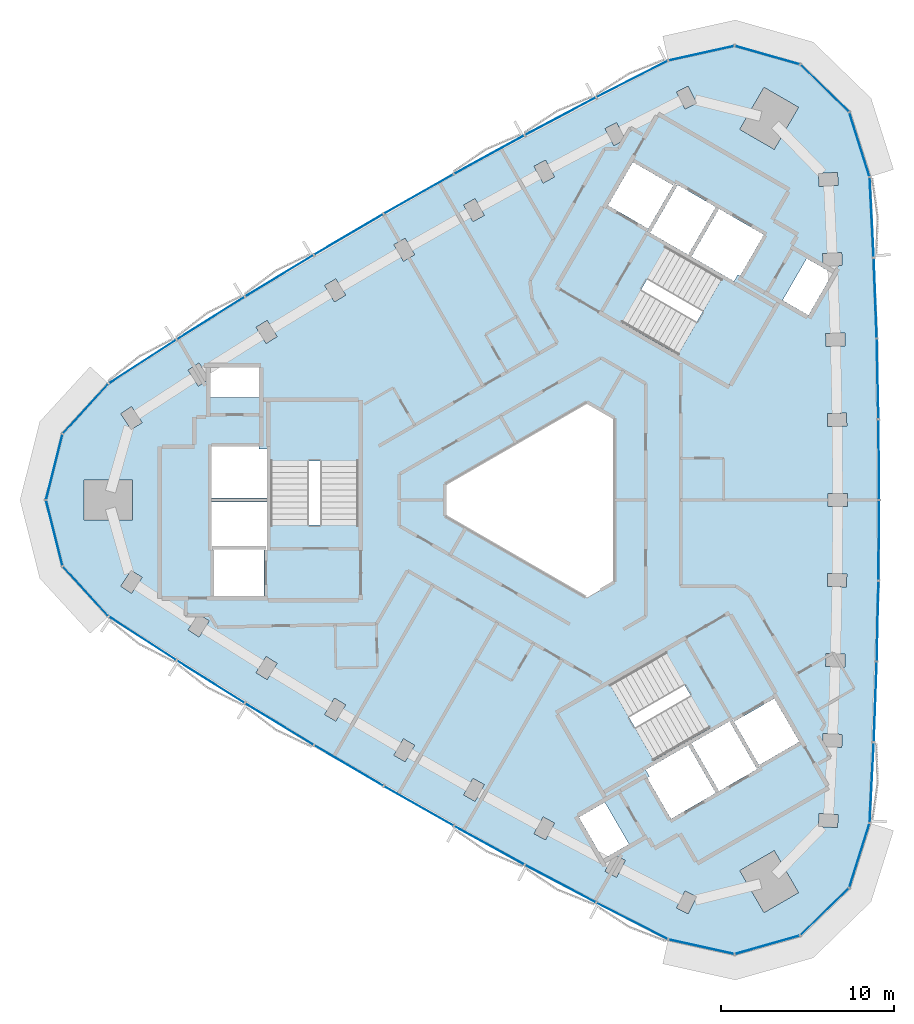
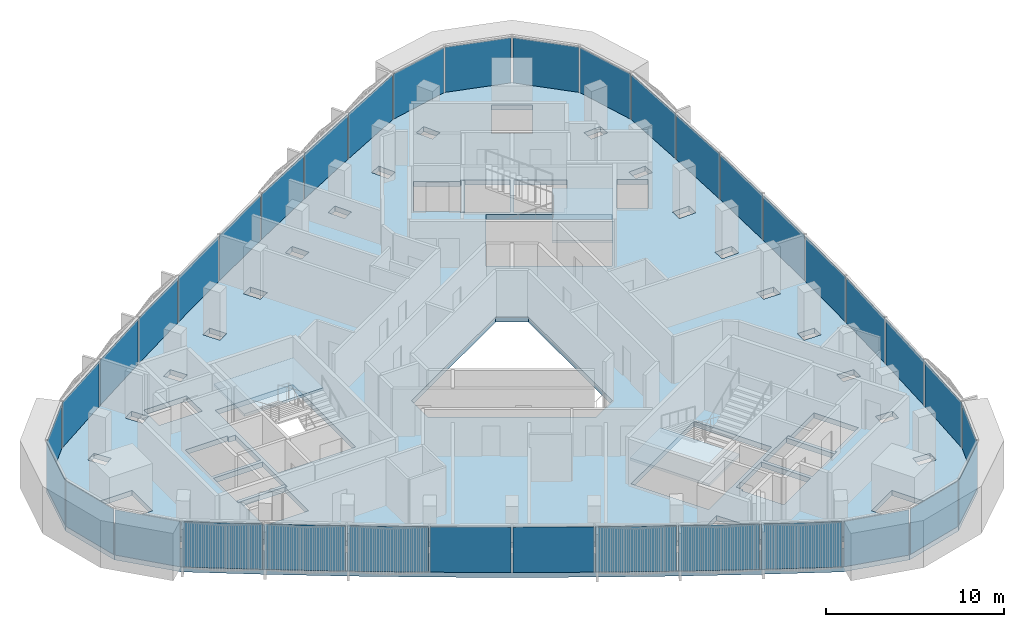
# One storey, part 7 of 16: 36 plates, 4 slabs, 6 elements without a shape of their own.
"""IFC4 building model written with IfcOpenShell, lengths in metres."""

from ifc_helpers import new_model, si_unit, direction, frame, origin, origin_2d, place, context, subcontext, project, spatial, polyline, rectangle, outline, extrude, material, layer, layer_set, type_object, element, aggregate, save


model = new_model("IFC4")

# Units and contexts
model_context = context("Model", 3, precision=1e-05, world=origin(), true_north=direction((0.0, 1.0)))
body_context = subcontext(model_context, "Body", "Model", "MODEL_VIEW")
ifc_project = project(units=[si_unit("LENGTHUNIT", "METRE"), si_unit("AREAUNIT", "SQUARE_METRE"), si_unit("VOLUMEUNIT", "CUBIC_METRE"), si_unit("PLANEANGLEUNIT", "RADIAN"), si_unit("MASSUNIT", "GRAM", prefix="KILO")], contexts=[model_context])

# Site, building, storey
site_placement = place(None, origin())
site = spatial("IfcSite", under=ifc_project, at=site_placement, CompositionType="ELEMENT")
building_placement = place(site_placement, origin())
building = spatial("IfcBuilding", under=site, at=building_placement, Name="Tamra Quay Hotel Tower", CompositionType="ELEMENT")
storey_placement = place(building_placement, frame((0.0, 0.0, 239.39990234375)))
storey = spatial("IfcBuildingStorey", under=building, at=storey_placement, Name="L60", CompositionType="ELEMENT", Elevation=239.39990234375)

# Stair, slab
ifc_material_1 = material(Name="Exit stair 2200 24 risers 150.0 going 342")
stair_type = type_object("IfcStairType", Name="Exit stair 2200 24 risers 150.0 going 342", PredefinedType="HALF_TURN_STAIR", material=ifc_material_1)
stair_1_placement = place(storey_placement, origin())
stair_1 = element("IfcStair", 1, at=stair_1_placement, inside=storey, type_object=stair_type, Name="L60 Exit stair ST3", PredefinedType="HALF_TURN_STAIR")
ifc_material_2 = material(Name="Concrete M70", Category="concrete")
ifc_layer_1 = layer(ifc_material_2, 0.175048828125)
ifc_layer_set_1 = layer_set([ifc_layer_1], Name="Concrete M70 stair landing 180")
slab_type_1 = type_object("IfcSlabType", Name="Concrete M70 stair landing 180", PredefinedType="LANDING", material=ifc_layer_set_1)
slab_1_placement = place(storey_placement, frame((0.0, 0.0, 1.625)))
slab_1 = element("IfcSlab", 2, at=slab_1_placement, type_object=slab_type_1, Name="ST3 landing 1", PredefinedType="LANDING", context=body_context, shape_type="SweptSolid", body=[
    extrude(outline(polyline([(-10.932373046875, 2.261962890625), (-10.932373046875, 5.679931640625), (-16.09130859375, 5.679931640625), (-16.09130859375, 2.261962890625), (-10.932373046875, 2.261962890625)])), origin(), (0.0, 0.0, 1.0), 0.175048828125),
])
aggregate(stair_1, [slab_1])

stair_2_placement = place(storey_placement, origin())
stair_2 = element("IfcStair", 3, at=stair_2_placement, inside=storey, type_object=stair_type, Name="L60 Exit stair ST1", PredefinedType="HALF_TURN_STAIR")
slab_2_placement = place(storey_placement, frame((0.0, 0.0, 1.625)))
slab_2 = element("IfcSlab", 4, at=slab_2_placement, type_object=slab_type_1, Name="ST1 landing 1", PredefinedType="LANDING", context=body_context, shape_type="SweptSolid", body=[
    extrude(outline(polyline([(7.425048828125, 8.336669921875), (10.385009765625, 6.627685546875), (12.964599609375, 11.095458984375), (10.00439453125, 12.804443359375), (7.425048828125, 8.336669921875)])), origin(), (0.0, 0.0, 1.0), 0.175048828125),
])
aggregate(stair_2, [slab_2])

stair_3_placement = place(storey_placement, origin())
stair_3 = element("IfcStair", 5, at=stair_3_placement, inside=storey, type_object=stair_type, Name="L60 Exit stair ST2", PredefinedType="HALF_TURN_STAIR")
slab_3_placement = place(storey_placement, frame((0.0, 0.0, 1.625)))
slab_3 = element("IfcSlab", 6, at=slab_3_placement, type_object=slab_type_1, Name="ST2 landing 1", PredefinedType="LANDING", context=body_context, shape_type="SweptSolid", body=[
    extrude(outline(polyline([(3.50732421875, -10.5986328125), (0.547119140625, -12.3076171875), (3.126708984375, -16.775390625), (6.086669921875, -15.06640625), (3.50732421875, -10.5986328125)])), origin(), (0.0, 0.0, 1.0), 0.175048828125),
])
aggregate(stair_3, [slab_3])

# Slab
ifc_material_3 = material(Name="Concrete M60", Category="concrete")
ifc_layer_2 = layer(ifc_material_3, 0.35009765625)
ifc_layer_set_2 = layer_set([ifc_layer_2], Name="FLOOR SLAB PT 350")
slab_type_2 = type_object("IfcSlabType", Name="FLOOR SLAB PT 350", PredefinedType="FLOOR", material=ifc_layer_set_2)
slab_4_placement = place(storey_placement, frame((0.0, 0.0, -0.349853515625)))
element("IfcSlab", 7, at=slab_4_placement, inside=storey, type_object=slab_type_2, Name="SLAB-L60", PredefinedType="FLOOR", context=body_context, shape_type="SweptSolid", body=[
    extrude(outline(polyline([(18.746826171875, 13.9765625), (18.918212890625, 9.31884765625), (19.020751953125, 4.66064453125), (19.05517578125, 0.0), (19.020751953125, -4.66064453125), (18.918212890625, -9.31884765625), (18.746826171875, -13.9765625), (18.50732421875, -18.63037109375), (17.323974609375, -22.38037109375), (14.503173828125, -25.1201171875), (10.719970703125, -26.193115234375), (6.880615234375, -25.343017578125), (2.730712890625, -23.223388671875), (-1.388671875, -21.04296875), (-5.47412109375, -18.802978515625), (-9.527587890625, -16.502197265625), (-13.546630859375, -14.14208984375), (-17.529296875, -11.72412109375), (-21.477294921875, -9.2470703125), (-25.387939453125, -6.712646484375), (-28.0439453125, -3.812744140625), (-29.006103515625, 0.0), (-28.0439453125, 3.812744140625), (-25.387939453125, 6.712646484375), (-21.477294921875, 9.2470703125), (-17.529296875, 11.72412109375), (-13.546630859375, 14.14208984375), (-9.527587890625, 16.502197265625), (-5.47412109375, 18.802978515625), (-1.388671875, 21.04296875), (2.730712890625, 23.223388671875), (6.880615234375, 25.343017578125), (10.719970703125, 26.193115234375), (14.503173828125, 25.1201171875), (17.323974609375, 22.38037109375), (18.50732421875, 18.63037109375), (18.746826171875, 13.9765625)]), holes=[polyline([(-8.9345703125, -14.724853515625), (-8.284912109375, -15.099853515625), (-7.73486328125, -14.147216796875), (-8.384521484375, -13.772216796875), (-8.9345703125, -14.724853515625)]), polyline([(-12.927001953125, -12.373779296875), (-12.283203125, -12.758544921875), (-11.718994140625, -11.814208984375), (-12.36279296875, -11.4296875), (-12.927001953125, -12.373779296875)]), polyline([(-16.885009765625, -9.964599609375), (-16.24658203125, -10.3583984375), (-15.669189453125, -9.422119140625), (-16.3076171875, -9.0283203125), (-16.885009765625, -9.964599609375)]), polyline([(-20.21533203125, -6.56982421875), (-20.806640625, -7.497314453125), (-20.17431640625, -7.900634765625), (-19.5830078125, -6.972900390625), (-20.21533203125, -6.56982421875)]), polyline([(-24.08740234375, -4.05419921875), (-24.69189453125, -4.972900390625), (-24.0654296875, -5.38525390625), (-23.460693359375, -4.46630859375), (-24.08740234375, -4.05419921875)]), polyline([(-19.4072265625, -2.85498046875), (-19.4072265625, -2.89306640625), (-19.307373046875, -2.89306640625), (-19.307373046875, -5.544921875), (-16.417236328125, -5.544921875), (-16.417236328125, -2.89306640625), (-16.3173828125, -2.89306640625), (-16.3173828125, -2.85498046875), (-19.4072265625, -2.85498046875)]), polyline([(-19.417236328125, -2.89306640625), (-19.417236328125, -2.64501953125), (-16.307373046875, -2.64501953125), (-16.307373046875, -2.89306640625), (-16.26708984375, -2.89306640625), (-16.26708984375, -0.10498046875), (-19.45751953125, -0.10498046875), (-19.45751953125, -2.89306640625), (-19.417236328125, -2.89306640625)]), polyline([(-24.0205078125, 1.14990234375), (-26.8203125, 1.14990234375), (-26.8203125, -1.14990234375), (-24.0205078125, -1.14990234375), (-24.0205078125, 1.14990234375)]), polyline([(-16.707275390625, 2.945068359375), (-16.707275390625, 3.09521484375), (-19.45751953125, 3.09521484375), (-19.45751953125, 0.10498046875), (-16.26708984375, 0.10498046875), (-16.26708984375, 2.945068359375), (-16.707275390625, 2.945068359375)]), polyline([(-16.036376953125, -1.455078125), (-10.9873046875, -1.455078125), (-10.9873046875, 5.625), (-16.036376953125, 5.625), (-16.036376953125, -1.455078125)]), polyline([(-23.460693359375, 4.46630859375), (-24.0654296875, 5.38525390625), (-24.69189453125, 4.972900390625), (-24.08740234375, 4.05419921875), (-23.460693359375, 4.46630859375)]), polyline([(-19.50732421875, 7.64501953125), (-19.50732421875, 5.9150390625), (-16.71728515625, 5.9150390625), (-16.71728515625, 7.64501953125), (-19.50732421875, 7.64501953125)]), polyline([(-19.5830078125, 6.972900390625), (-20.17431640625, 7.900634765625), (-20.806640625, 7.497314453125), (-20.21533203125, 6.56982421875), (-19.5830078125, 6.972900390625)]), polyline([(-15.669189453125, 9.422119140625), (-16.24658203125, 10.3583984375), (-16.885009765625, 9.964599609375), (-16.3076171875, 9.0283203125), (-15.669189453125, 9.422119140625)]), polyline([(-12.283203125, 12.758544921875), (-12.927001953125, 12.373779296875), (-12.36279296875, 11.4296875), (-11.718994140625, 11.814208984375), (-12.283203125, 12.758544921875)]), polyline([(-7.73486328125, 14.147216796875), (-8.284912109375, 15.099853515625), (-8.9345703125, 14.724853515625), (-8.384521484375, 13.772216796875), (-7.73486328125, 14.147216796875)]), polyline([(7.8623046875, -22.55078125), (7.368896484375, -23.533935546875), (8.039306640625, -23.870361328125), (8.53271484375, -22.88720703125), (7.8623046875, -22.55078125)]), polyline([(3.2451171875, -21.421875), (3.910400390625, -21.767822265625), (4.41796875, -20.7919921875), (3.752685546875, -20.44580078125), (3.2451171875, -21.421875)]), polyline([(1.73779296875, -18.300048828125), (3.1328125, -20.71630859375), (4.631103515625, -19.851318359375), (3.236083984375, -17.43505859375), (1.73779296875, -18.300048828125)]), polyline([(-0.3251953125, -18.281005859375), (-0.847412109375, -19.2490234375), (-0.187255859375, -19.60498046875), (0.334716796875, -18.636962890625), (-0.3251953125, -18.281005859375)]), polyline([(-4.90771484375, -17.016845703125), (-4.252685546875, -17.382080078125), (-3.716796875, -16.42138671875), (-4.3720703125, -16.05615234375), (-4.90771484375, -17.016845703125)]), polyline([(5.5830078125, -15.560302734375), (5.80322265625, -15.94140625), (5.673095703125, -16.0166015625), (7.04833984375, -18.398193359375), (9.6376953125, -16.903076171875), (8.042724609375, -14.14013671875), (5.5830078125, -15.560302734375)]), polyline([(12.214111328125, -15.369384765625), (11.999267578125, -15.493408203125), (10.4443359375, -12.800048828125), (10.6591796875, -12.676025390625), (10.63916015625, -12.64111328125), (8.224609375, -14.03515625), (9.819580078125, -16.798095703125), (12.234130859375, -15.404052734375), (12.214111328125, -15.369384765625)]), polyline([(6.75390625, -8.78759765625), (0.622314453125, -12.32763671875), (3.146728515625, -16.7001953125), (9.2783203125, -13.160400390625), (6.75390625, -8.78759765625)]), polyline([(-6.0, 0.923828125), (-6.0, -0.923828125), (2.199951171875, -5.657958984375), (3.800048828125, -4.734375), (3.800048828125, 4.734375), (2.199951171875, 5.657958984375), (-6.0, 0.923828125)]), polyline([(4.2333984375, 10.242919921875), (10.364990234375, 6.702880859375), (12.889404296875, 11.075439453125), (6.758056640625, 14.615478515625), (4.2333984375, 10.242919921875)]), polyline([(7.203125, 18.262451171875), (7.41796875, 18.138427734375), (5.863037109375, 15.445068359375), (5.648193359375, 15.569091796875), (5.628173828125, 15.5341796875), (8.04248046875, 14.140380859375), (9.6376953125, 16.903076171875), (7.22314453125, 18.297119140625), (7.203125, 18.262451171875)]), polyline([(-3.716796875, 16.42138671875), (-4.252685546875, 17.382080078125), (-4.90771484375, 17.016845703125), (-4.3720703125, 16.05615234375), (-3.716796875, 16.42138671875)]), polyline([(7.231201171875, 18.234619140625), (7.1982421875, 18.253662109375), (7.148193359375, 18.1669921875), (4.8515625, 19.4931640625), (3.406494140625, 16.990234375), (5.703125, 15.664306640625), (5.6533203125, 15.57763671875), (5.68603515625, 15.55859375), (7.231201171875, 18.234619140625)]), polyline([(0.334716796875, 18.636962890625), (-0.187255859375, 19.60498046875), (-0.847412109375, 19.2490234375), (-0.3251953125, 18.281005859375), (0.334716796875, 18.636962890625)]), polyline([(4.41796875, 20.7919921875), (3.910400390625, 21.767822265625), (3.2451171875, 21.421875), (3.752685546875, 20.44580078125), (4.41796875, 20.7919921875)]), polyline([(8.039306640625, 23.870361328125), (7.368896484375, 23.533935546875), (7.8623046875, 22.55078125), (8.53271484375, 22.88720703125), (8.039306640625, 23.870361328125)]), polyline([(11.014404296875, -21.377197265625), (12.414306640625, -23.802001953125), (14.406005859375, -22.652099609375), (13.006103515625, -20.227294921875), (11.014404296875, -21.377197265625)]), polyline([(15.554443359375, -18.8330078125), (16.652587890625, -18.8974609375), (16.696533203125, -18.148681640625), (15.598388671875, -18.08447265625), (15.554443359375, -18.8330078125)]), polyline([(16.896240234375, -14.2705078125), (16.92919921875, -13.52099609375), (15.830322265625, -13.472900390625), (15.79736328125, -14.22216796875), (16.896240234375, -14.2705078125)]), polyline([(10.631103515625, -12.70361328125), (12.176025390625, -15.379638671875), (12.208984375, -15.360595703125), (12.1591796875, -15.274169921875), (14.455810546875, -13.947998046875), (13.0107421875, -11.4453125), (10.714111328125, -12.771240234375), (10.6640625, -12.6845703125), (10.631103515625, -12.70361328125)]), polyline([(15.97265625, -9.6083984375), (17.072265625, -9.640380859375), (17.093994140625, -8.890625), (15.994384765625, -8.85888671875), (15.97265625, -9.6083984375)]), polyline([(17.1796875, -5.00830078125), (17.19091796875, -4.25830078125), (16.091064453125, -4.24169921875), (16.079833984375, -4.99169921875), (17.1796875, -5.00830078125)]), polyline([(16.119384765625, -0.375), (17.219482421875, -0.375), (17.219482421875, 0.375), (16.119384765625, 0.375), (16.119384765625, -0.375)]), polyline([(16.091064453125, 4.24169921875), (17.19091796875, 4.25830078125), (17.1796875, 5.00830078125), (16.079833984375, 4.99169921875), (16.091064453125, 4.24169921875)]), polyline([(17.093994140625, 8.890625), (17.072265625, 9.640380859375), (15.97265625, 9.6083984375), (15.994384765625, 8.85888671875), (17.093994140625, 8.890625)]), polyline([(14.9794921875, 10.655029296875), (16.37451171875, 13.0712890625), (14.876220703125, 13.936279296875), (13.481201171875, 11.52001953125), (14.9794921875, 10.655029296875)]), polyline([(15.830322265625, 13.472900390625), (16.92919921875, 13.52099609375), (16.896240234375, 14.2705078125), (15.79736328125, 14.22216796875), (15.830322265625, 13.472900390625)]), polyline([(10.904052734375, 12.996337890625), (11.0341796875, 12.92138671875), (12.4091796875, 15.302978515625), (9.819580078125, 16.798095703125), (8.224365234375, 14.035400390625), (10.68408203125, 12.615234375), (10.904052734375, 12.996337890625)]), polyline([(15.598388671875, 18.08447265625), (16.696533203125, 18.148681640625), (16.652587890625, 18.8974609375), (15.554443359375, 18.8330078125), (15.598388671875, 18.08447265625)]), polyline([(13.006103515625, 20.227294921875), (14.406005859375, 22.652099609375), (12.414306640625, 23.802001953125), (11.014404296875, 21.377197265625), (13.006103515625, 20.227294921875)])]), origin(), (0.0, 0.0, 1.0), 0.349853515625),
])

# Curtain wall, plates
ifc_material_4 = material(Name="Aluminium 6063 anodised dark grey", Category="aluminium")
curtain_wall_type_1 = type_object("IfcCurtainWallType", Name="CW1 CURTAIN WALL", PredefinedType="NOTDEFINED", material=ifc_material_4)
curtain_wall_1_placement = place(storey_placement, origin())
curtain_wall_1 = element("IfcCurtainWall", 8, at=curtain_wall_1_placement, inside=storey, type_object=curtain_wall_type_1, Name="CW1 east face L60", PredefinedType="NOTDEFINED")
ifc_material_5 = material(Name="Glass clear laminated low-iron", Category="glass")
ifc_layer_3 = layer(ifc_material_5, 0.028076171875)
ifc_layer_set_3 = layer_set([ifc_layer_3], Name="GLASS PANEL CW1 Z5")
plate_type_1 = type_object("IfcPlateType", Name="GLASS PANEL CW1 Z5", PredefinedType="CURTAIN_PANEL", material=ifc_layer_set_3)
plate_1_placement = place(storey_placement, frame((18.626953125, -16.303466796875, 0.0), z_axis=(0.0, 0.0, 1.0), x_axis=(0.05140283052, 0.998678000666, 0.0)))
plate_1 = element("IfcPlate", 9, at=plate_1_placement, type_object=plate_type_1, Name="CW1 glass L60.E.1", PredefinedType="CURTAIN_PANEL", context=body_context, shape_type="SweptSolid", body=[
    extrude(rectangle(XDim=4.56005859375, YDim=0.028076171875, at=origin_2d()), origin(), (0.0, 0.0, 1.0), 3.110107421875),
])
plate_2_placement = place(storey_placement, frame((18.83251953125, -11.647705078125, 0.0), z_axis=(0.0, 0.0, 1.0), x_axis=(0.036744002612, 0.999324711128, 0.0)))
plate_2 = element("IfcPlate", 10, at=plate_2_placement, type_object=plate_type_1, Name="CW1 glass L60.E.2", PredefinedType="CURTAIN_PANEL", context=body_context, shape_type="SweptSolid", body=[
    extrude(rectangle(XDim=4.560791015625, YDim=0.028076171875, at=origin_2d()), origin(), (0.0, 0.0, 1.0), 3.110107421875),
])
plate_3_placement = place(storey_placement, frame((18.969482421875, -6.98974609375, 0.0), z_axis=(0.0, 0.0, 1.0), x_axis=(0.022062714066, 0.999756588699, 0.0)))
plate_3 = element("IfcPlate", 11, at=plate_3_placement, type_object=plate_type_1, Name="CW1 glass L60.E.3", PredefinedType="CURTAIN_PANEL", context=body_context, shape_type="SweptSolid", body=[
    extrude(rectangle(XDim=4.559326171875, YDim=0.028076171875, at=origin_2d()), origin(), (0.0, 0.0, 1.0), 3.110107421875),
])
plate_4_placement = place(storey_placement, frame((19.0380859375, -2.330322265625, 0.0), z_axis=(0.0, 0.0, 1.0), x_axis=(0.007362119462, 0.999972899231, 0.0)))
plate_4 = element("IfcPlate", 12, at=plate_4_placement, type_object=plate_type_1, Name="CW1 glass L60.E.4", PredefinedType="CURTAIN_PANEL", context=body_context, shape_type="SweptSolid", body=[
    extrude(rectangle(XDim=4.560791015625, YDim=0.028076171875, at=origin_2d()), origin(), (0.0, 0.0, 1.0), 3.110107421875),
])
plate_5_placement = place(storey_placement, frame((19.0380859375, 2.330322265625, 0.0), z_axis=(0.0, 0.0, 1.0), x_axis=(-0.007362119462, 0.999972899231, 0.0)))
plate_5 = element("IfcPlate", 13, at=plate_5_placement, type_object=plate_type_1, Name="CW1 glass L60.E.5", PredefinedType="CURTAIN_PANEL", context=body_context, shape_type="SweptSolid", body=[
    extrude(rectangle(XDim=4.560791015625, YDim=0.028076171875, at=origin_2d()), origin(), (0.0, 0.0, 1.0), 3.110107421875),
])
plate_6_placement = place(storey_placement, frame((18.969482421875, 6.98974609375, 0.0), z_axis=(0.0, 0.0, 1.0), x_axis=(-0.022062714066, 0.999756588699, 0.0)))
plate_6 = element("IfcPlate", 14, at=plate_6_placement, type_object=plate_type_1, Name="CW1 glass L60.E.6", PredefinedType="CURTAIN_PANEL", context=body_context, shape_type="SweptSolid", body=[
    extrude(rectangle(XDim=4.559326171875, YDim=0.028076171875, at=origin_2d()), origin(), (0.0, 0.0, 1.0), 3.110107421875),
])
plate_7_placement = place(storey_placement, frame((18.83251953125, 11.647705078125, 0.0), z_axis=(0.0, 0.0, 1.0), x_axis=(-0.036744002612, 0.999324711128, 0.0)))
plate_7 = element("IfcPlate", 15, at=plate_7_placement, type_object=plate_type_1, Name="CW1 glass L60.E.7", PredefinedType="CURTAIN_PANEL", context=body_context, shape_type="SweptSolid", body=[
    extrude(rectangle(XDim=4.560791015625, YDim=0.028076171875, at=origin_2d()), origin(), (0.0, 0.0, 1.0), 3.110107421875),
])
plate_8_placement = place(storey_placement, frame((18.626953125, 16.303466796875, 0.0), z_axis=(0.0, 0.0, 1.0), x_axis=(-0.05140283052, 0.998678000666, 0.0)))
plate_8 = element("IfcPlate", 16, at=plate_8_placement, type_object=plate_type_1, Name="CW1 glass L60.E.8", PredefinedType="CURTAIN_PANEL", context=body_context, shape_type="SweptSolid", body=[
    extrude(rectangle(XDim=4.56005859375, YDim=0.028076171875, at=origin_2d()), origin(), (0.0, 0.0, 1.0), 3.110107421875),
])
plate_9_placement = place(storey_placement, frame((17.91552734375, 20.50537109375, 0.0), z_axis=(0.0, 0.0, 1.0), x_axis=(-0.30090299279, 0.95365475353, 0.0)))
plate_9 = element("IfcPlate", 17, at=plate_9_placement, type_object=plate_type_1, Name="CW1 glass L60.E.9", PredefinedType="CURTAIN_PANEL", context=body_context, shape_type="SweptSolid", body=[
    extrude(rectangle(XDim=3.832275390625, YDim=0.028076171875, at=origin_2d()), origin(), (0.0, 0.0, 1.0), 3.110107421875),
])
plate_10_placement = place(storey_placement, frame((15.91357421875, 23.750244140625, 0.0), z_axis=(0.0, 0.0, 1.0), x_axis=(-0.717364100925, 0.696698461821, 0.0)))
plate_10 = element("IfcPlate", 18, at=plate_10_placement, type_object=plate_type_1, Name="CW1 glass L60.E.10", PredefinedType="CURTAIN_PANEL", context=body_context, shape_type="SweptSolid", body=[
    extrude(rectangle(XDim=3.832275390625, YDim=0.028076171875, at=origin_2d()), origin(), (0.0, 0.0, 1.0), 3.110107421875),
])
plate_11_placement = place(storey_placement, frame((12.611572265625, 25.65673828125, 0.0), z_axis=(0.0, 0.0, 1.0), x_axis=(-0.962040617177, 0.272906304254, 0.0)))
plate_11 = element("IfcPlate", 19, at=plate_11_placement, type_object=plate_type_1, Name="CW1 glass L60.E.11", PredefinedType="CURTAIN_PANEL", context=body_context, shape_type="SweptSolid", body=[
    extrude(rectangle(XDim=3.832275390625, YDim=0.028076171875, at=origin_2d()), origin(), (0.0, 0.0, 1.0), 3.110107421875),
])
plate_12_placement = place(storey_placement, frame((8.80029296875, 25.76806640625, 0.0), z_axis=(0.0, 0.0, 1.0), x_axis=(-0.976340739392, -0.216237740934, 0.0)))
plate_12 = element("IfcPlate", 20, at=plate_12_placement, type_object=plate_type_1, Name="CW1 glass L60.E.12", PredefinedType="CURTAIN_PANEL", context=body_context, shape_type="SweptSolid", body=[
    extrude(rectangle(XDim=3.832275390625, YDim=0.028076171875, at=origin_2d()), origin(), (0.0, 0.0, 1.0), 3.110107421875),
])
aggregate(curtain_wall_1, [plate_1, plate_2, plate_3, plate_4, plate_5, plate_6, plate_7, plate_8, plate_9, plate_10, plate_11, plate_12])

curtain_wall_type_2 = type_object("IfcCurtainWallType", Name="CW2 CURTAIN WALL", PredefinedType="NOTDEFINED", material=ifc_material_4)
curtain_wall_2_placement = place(storey_placement, origin())
curtain_wall_2 = element("IfcCurtainWall", 21, at=curtain_wall_2_placement, inside=storey, type_object=curtain_wall_type_2, Name="CW2 north-west face L60", PredefinedType="NOTDEFINED")
ifc_layer_4 = layer(ifc_material_5, 0.028076171875)
ifc_layer_set_4 = layer_set([ifc_layer_4], Name="GLASS PANEL CW2 Z5")
plate_type_2 = type_object("IfcPlateType", Name="GLASS PANEL CW2 Z5", PredefinedType="CURTAIN_PANEL", material=ifc_layer_set_4)
plate_13_placement = place(storey_placement, frame((4.8056640625, 24.283203125, 0.0), z_axis=(0.0, 0.0, 1.0), x_axis=(-0.890581934038, -0.454822843276, 0.0)))
plate_13 = element("IfcPlate", 22, at=plate_13_placement, type_object=plate_type_2, Name="CW2 glass L60.NW.1", PredefinedType="CURTAIN_PANEL", context=body_context, shape_type="SweptSolid", body=[
    extrude(rectangle(XDim=4.56005859375, YDim=0.028076171875, at=origin_2d()), origin(), (0.0, 0.0, 1.0), 3.110107421875),
])
plate_14_placement = place(storey_placement, frame((0.6708984375, 22.13330078125, 0.0), z_axis=(0.0, 0.0, 1.0), x_axis=(-0.883812587773, -0.467841115866, 0.0)))
plate_14 = element("IfcPlate", 23, at=plate_14_placement, type_object=plate_type_2, Name="CW2 glass L60.NW.2", PredefinedType="CURTAIN_PANEL", context=body_context, shape_type="SweptSolid", body=[
    extrude(rectangle(XDim=4.560791015625, YDim=0.028076171875, at=origin_2d()), origin(), (0.0, 0.0, 1.0), 3.110107421875),
])
plate_15_placement = place(storey_placement, frame((-3.431396484375, 19.9228515625, 0.0), z_axis=(0.0, 0.0, 1.0), x_axis=(-0.876845960448, -0.480771423492, 0.0)))
plate_15 = element("IfcPlate", 24, at=plate_15_placement, type_object=plate_type_2, Name="CW2 glass L60.NW.3", PredefinedType="CURTAIN_PANEL", context=body_context, shape_type="SweptSolid", body=[
    extrude(rectangle(XDim=4.559326171875, YDim=0.028076171875, at=origin_2d()), origin(), (0.0, 0.0, 1.0), 3.110107421875),
])
plate_16_placement = place(storey_placement, frame((-7.500732421875, 17.652587890625, 0.0), z_axis=(0.0, 0.0, 1.0), x_axis=(-0.869682993561, -0.493610667136, 0.0)))
plate_16 = element("IfcPlate", 25, at=plate_16_placement, type_object=plate_type_2, Name="CW2 glass L60.NW.4", PredefinedType="CURTAIN_PANEL", context=body_context, shape_type="SweptSolid", body=[
    extrude(rectangle(XDim=4.560791015625, YDim=0.028076171875, at=origin_2d()), origin(), (0.0, 0.0, 1.0), 3.110107421875),
])
plate_17_placement = place(storey_placement, frame((-11.537109375, 15.322265625, 0.0), z_axis=(0.0, 0.0, 1.0), x_axis=(-0.862320874099, -0.506362232095, 0.0)))
plate_17 = element("IfcPlate", 26, at=plate_17_placement, type_object=plate_type_2, Name="CW2 glass L60.NW.5", PredefinedType="CURTAIN_PANEL", context=body_context, shape_type="SweptSolid", body=[
    extrude(rectangle(XDim=4.560791015625, YDim=0.028076171875, at=origin_2d()), origin(), (0.0, 0.0, 1.0), 3.110107421875),
])
plate_18_placement = place(storey_placement, frame((-15.5380859375, 12.93310546875, 0.0), z_axis=(0.0, 0.0, 1.0), x_axis=(-0.854783246382, -0.518985165207, 0.0)))
plate_18 = element("IfcPlate", 27, at=plate_18_placement, type_object=plate_type_2, Name="CW2 glass L60.NW.6", PredefinedType="CURTAIN_PANEL", context=body_context, shape_type="SweptSolid", body=[
    extrude(rectangle(XDim=4.559326171875, YDim=0.028076171875, at=origin_2d()), origin(), (0.0, 0.0, 1.0), 3.110107421875),
])
plate_19_placement = place(storey_placement, frame((-19.50341796875, 10.485595703125, 0.0), z_axis=(0.0, 0.0, 1.0), x_axis=(-0.847068585161, -0.531483595263, 0.0)))
plate_19 = element("IfcPlate", 28, at=plate_19_placement, type_object=plate_type_2, Name="CW2 glass L60.NW.7", PredefinedType="CURTAIN_PANEL", context=body_context, shape_type="SweptSolid", body=[
    extrude(rectangle(XDim=4.560791015625, YDim=0.028076171875, at=origin_2d()), origin(), (0.0, 0.0, 1.0), 3.110107421875),
])
plate_20_placement = place(storey_placement, frame((-23.4326171875, 7.979736328125, 0.0), z_axis=(0.0, 0.0, 1.0), x_axis=(-0.839179103518, -0.54385515739, 0.0)))
plate_20 = element("IfcPlate", 29, at=plate_20_placement, type_object=plate_type_2, Name="CW2 glass L60.NW.8", PredefinedType="CURTAIN_PANEL", context=body_context, shape_type="SweptSolid", body=[
    extrude(rectangle(XDim=4.56005859375, YDim=0.028076171875, at=origin_2d()), origin(), (0.0, 0.0, 1.0), 3.110107421875),
])
plate_21_placement = place(storey_placement, frame((-26.716064453125, 5.2626953125, 0.0), z_axis=(0.0, 0.0, 1.0), x_axis=(-0.675437746601, -0.737417012596, 0.0)))
plate_21 = element("IfcPlate", 30, at=plate_21_placement, type_object=plate_type_2, Name="CW2 glass L60.NW.9", PredefinedType="CURTAIN_PANEL", context=body_context, shape_type="SweptSolid", body=[
    extrude(rectangle(XDim=3.832275390625, YDim=0.028076171875, at=origin_2d()), origin(), (0.0, 0.0, 1.0), 3.110107421875),
])
plate_22_placement = place(storey_placement, frame((-28.525146484375, 1.906494140625, 0.0), z_axis=(0.0, 0.0, 1.0), x_axis=(-0.244676516252, -0.969604766075, 0.0)))
plate_22 = element("IfcPlate", 31, at=plate_22_placement, type_object=plate_type_2, Name="CW2 glass L60.NW.10", PredefinedType="CURTAIN_PANEL", context=body_context, shape_type="SweptSolid", body=[
    extrude(rectangle(XDim=3.832275390625, YDim=0.028076171875, at=origin_2d()), origin(), (0.0, 0.0, 1.0), 3.110107421875),
])
plate_23_placement = place(storey_placement, frame((-28.525146484375, -1.906494140625, 0.0), z_axis=(0.0, 0.0, 1.0), x_axis=(0.244676516252, -0.969604766075, 0.0)))
plate_23 = element("IfcPlate", 32, at=plate_23_placement, type_object=plate_type_2, Name="CW2 glass L60.NW.11", PredefinedType="CURTAIN_PANEL", context=body_context, shape_type="SweptSolid", body=[
    extrude(rectangle(XDim=3.832275390625, YDim=0.028076171875, at=origin_2d()), origin(), (0.0, 0.0, 1.0), 3.110107421875),
])
plate_24_placement = place(storey_placement, frame((-26.716064453125, -5.2626953125, 0.0), z_axis=(0.0, 0.0, 1.0), x_axis=(0.675437746601, -0.737417012596, 0.0)))
plate_24 = element("IfcPlate", 33, at=plate_24_placement, type_object=plate_type_2, Name="CW2 glass L60.NW.12", PredefinedType="CURTAIN_PANEL", context=body_context, shape_type="SweptSolid", body=[
    extrude(rectangle(XDim=3.832275390625, YDim=0.028076171875, at=origin_2d()), origin(), (0.0, 0.0, 1.0), 3.110107421875),
])
aggregate(curtain_wall_2, [plate_13, plate_14, plate_15, plate_16, plate_17, plate_18, plate_19, plate_20, plate_21, plate_22, plate_23, plate_24])

curtain_wall_type_3 = type_object("IfcCurtainWallType", Name="CW3 CURTAIN WALL", PredefinedType="NOTDEFINED", material=ifc_material_4)
curtain_wall_3_placement = place(storey_placement, origin())
curtain_wall_3 = element("IfcCurtainWall", 34, at=curtain_wall_3_placement, inside=storey, type_object=curtain_wall_type_3, Name="CW3 south-west face L60", PredefinedType="NOTDEFINED")
ifc_layer_5 = layer(ifc_material_5, 0.028076171875)
ifc_layer_set_5 = layer_set([ifc_layer_5], Name="GLASS PANEL CW3 Z5")
plate_type_3 = type_object("IfcPlateType", Name="GLASS PANEL CW3 Z5", PredefinedType="CURTAIN_PANEL", material=ifc_layer_set_5)
plate_25_placement = place(storey_placement, frame((-23.4326171875, -7.979736328125, 0.0), z_axis=(0.0, 0.0, 1.0), x_axis=(0.839179103518, -0.54385515739, 0.0)))
plate_25 = element("IfcPlate", 35, at=plate_25_placement, type_object=plate_type_3, Name="CW3 glass L60.SW.1", PredefinedType="CURTAIN_PANEL", context=body_context, shape_type="SweptSolid", body=[
    extrude(rectangle(XDim=4.56005859375, YDim=0.028076171875, at=origin_2d()), origin(), (0.0, 0.0, 1.0), 3.110107421875),
])
plate_26_placement = place(storey_placement, frame((-19.50341796875, -10.485595703125, 0.0), z_axis=(0.0, 0.0, 1.0), x_axis=(0.847068585161, -0.531483595263, 0.0)))
plate_26 = element("IfcPlate", 36, at=plate_26_placement, type_object=plate_type_3, Name="CW3 glass L60.SW.2", PredefinedType="CURTAIN_PANEL", context=body_context, shape_type="SweptSolid", body=[
    extrude(rectangle(XDim=4.560791015625, YDim=0.028076171875, at=origin_2d()), origin(), (0.0, 0.0, 1.0), 3.110107421875),
])
plate_27_placement = place(storey_placement, frame((-15.5380859375, -12.93310546875, 0.0), z_axis=(0.0, 0.0, 1.0), x_axis=(0.854783246382, -0.518985165207, 0.0)))
plate_27 = element("IfcPlate", 37, at=plate_27_placement, type_object=plate_type_3, Name="CW3 glass L60.SW.3", PredefinedType="CURTAIN_PANEL", context=body_context, shape_type="SweptSolid", body=[
    extrude(rectangle(XDim=4.559326171875, YDim=0.028076171875, at=origin_2d()), origin(), (0.0, 0.0, 1.0), 3.110107421875),
])
plate_28_placement = place(storey_placement, frame((-11.537109375, -15.322265625, 0.0), z_axis=(0.0, 0.0, 1.0), x_axis=(0.862320874099, -0.506362232095, 0.0)))
plate_28 = element("IfcPlate", 38, at=plate_28_placement, type_object=plate_type_3, Name="CW3 glass L60.SW.4", PredefinedType="CURTAIN_PANEL", context=body_context, shape_type="SweptSolid", body=[
    extrude(rectangle(XDim=4.560791015625, YDim=0.028076171875, at=origin_2d()), origin(), (0.0, 0.0, 1.0), 3.110107421875),
])
plate_29_placement = place(storey_placement, frame((-7.500732421875, -17.652587890625, 0.0), z_axis=(0.0, 0.0, 1.0), x_axis=(0.869682993561, -0.493610667136, 0.0)))
plate_29 = element("IfcPlate", 39, at=plate_29_placement, type_object=plate_type_3, Name="CW3 glass L60.SW.5", PredefinedType="CURTAIN_PANEL", context=body_context, shape_type="SweptSolid", body=[
    extrude(rectangle(XDim=4.560791015625, YDim=0.028076171875, at=origin_2d()), origin(), (0.0, 0.0, 1.0), 3.110107421875),
])
plate_30_placement = place(storey_placement, frame((-3.431396484375, -19.9228515625, 0.0), z_axis=(0.0, 0.0, 1.0), x_axis=(0.876845960448, -0.480771423492, 0.0)))
plate_30 = element("IfcPlate", 40, at=plate_30_placement, type_object=plate_type_3, Name="CW3 glass L60.SW.6", PredefinedType="CURTAIN_PANEL", context=body_context, shape_type="SweptSolid", body=[
    extrude(rectangle(XDim=4.559326171875, YDim=0.028076171875, at=origin_2d()), origin(), (0.0, 0.0, 1.0), 3.110107421875),
])
plate_31_placement = place(storey_placement, frame((0.6708984375, -22.13330078125, 0.0), z_axis=(0.0, 0.0, 1.0), x_axis=(0.883812587773, -0.467841115866, 0.0)))
plate_31 = element("IfcPlate", 41, at=plate_31_placement, type_object=plate_type_3, Name="CW3 glass L60.SW.7", PredefinedType="CURTAIN_PANEL", context=body_context, shape_type="SweptSolid", body=[
    extrude(rectangle(XDim=4.560791015625, YDim=0.028076171875, at=origin_2d()), origin(), (0.0, 0.0, 1.0), 3.110107421875),
])
plate_32_placement = place(storey_placement, frame((4.8056640625, -24.283203125, 0.0), z_axis=(0.0, 0.0, 1.0), x_axis=(0.890581934038, -0.454822843276, 0.0)))
plate_32 = element("IfcPlate", 42, at=plate_32_placement, type_object=plate_type_3, Name="CW3 glass L60.SW.8", PredefinedType="CURTAIN_PANEL", context=body_context, shape_type="SweptSolid", body=[
    extrude(rectangle(XDim=4.56005859375, YDim=0.028076171875, at=origin_2d()), origin(), (0.0, 0.0, 1.0), 3.110107421875),
])
plate_33_placement = place(storey_placement, frame((8.80029296875, -25.76806640625, 0.0), z_axis=(0.0, 0.0, 1.0), x_axis=(0.976340739392, -0.216237740934, 0.0)))
plate_33 = element("IfcPlate", 43, at=plate_33_placement, type_object=plate_type_3, Name="CW3 glass L60.SW.9", PredefinedType="CURTAIN_PANEL", context=body_context, shape_type="SweptSolid", body=[
    extrude(rectangle(XDim=3.832275390625, YDim=0.028076171875, at=origin_2d()), origin(), (0.0, 0.0, 1.0), 3.110107421875),
])
plate_34_placement = place(storey_placement, frame((12.611572265625, -25.65673828125, 0.0), z_axis=(0.0, 0.0, 1.0), x_axis=(0.962040617177, 0.272906304254, 0.0)))
plate_34 = element("IfcPlate", 44, at=plate_34_placement, type_object=plate_type_3, Name="CW3 glass L60.SW.10", PredefinedType="CURTAIN_PANEL", context=body_context, shape_type="SweptSolid", body=[
    extrude(rectangle(XDim=3.832275390625, YDim=0.028076171875, at=origin_2d()), origin(), (0.0, 0.0, 1.0), 3.110107421875),
])
plate_35_placement = place(storey_placement, frame((15.91357421875, -23.750244140625, 0.0), z_axis=(0.0, 0.0, 1.0), x_axis=(0.717364100925, 0.696698461821, 0.0)))
plate_35 = element("IfcPlate", 45, at=plate_35_placement, type_object=plate_type_3, Name="CW3 glass L60.SW.11", PredefinedType="CURTAIN_PANEL", context=body_context, shape_type="SweptSolid", body=[
    extrude(rectangle(XDim=3.832275390625, YDim=0.028076171875, at=origin_2d()), origin(), (0.0, 0.0, 1.0), 3.110107421875),
])
plate_36_placement = place(storey_placement, frame((17.91552734375, -20.50537109375, 0.0), z_axis=(0.0, 0.0, 1.0), x_axis=(0.30090299279, 0.95365475353, 0.0)))
plate_36 = element("IfcPlate", 46, at=plate_36_placement, type_object=plate_type_3, Name="CW3 glass L60.SW.12", PredefinedType="CURTAIN_PANEL", context=body_context, shape_type="SweptSolid", body=[
    extrude(rectangle(XDim=3.832275390625, YDim=0.028076171875, at=origin_2d()), origin(), (0.0, 0.0, 1.0), 3.110107421875),
])
aggregate(curtain_wall_3, [plate_25, plate_26, plate_27, plate_28, plate_29, plate_30, plate_31, plate_32, plate_33, plate_34, plate_35, plate_36])

save(model, "model.ifc")
